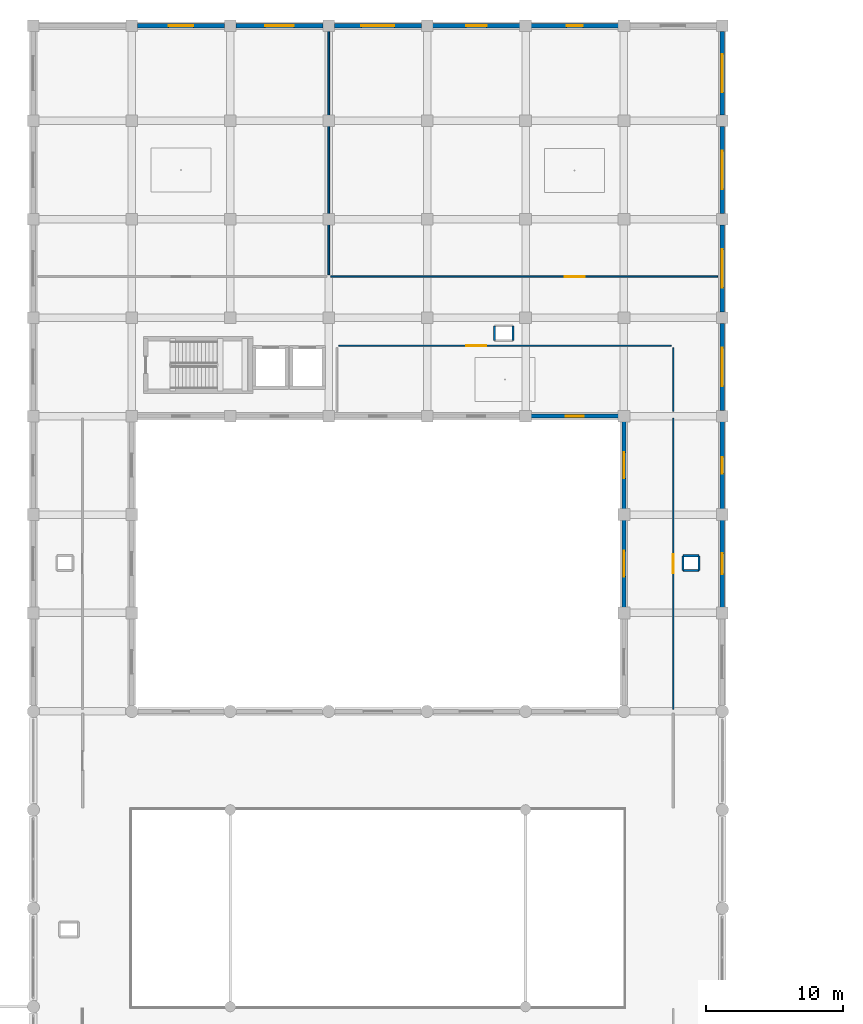
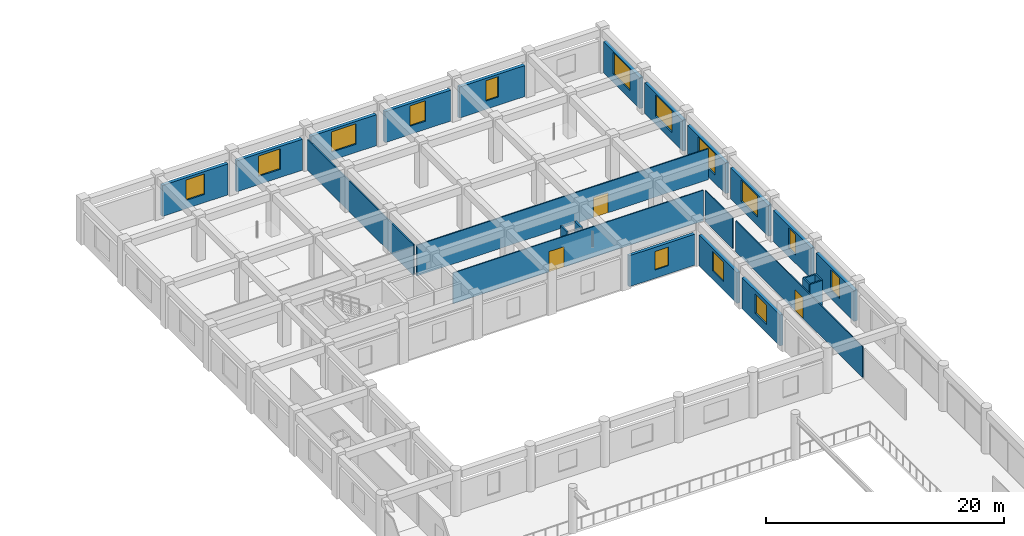
# One storey, part 37 of 54: 25 walls, 14 windows, 3 doors, 17 openings.
"""IFC4 building model written with IfcOpenShell, lengths in metres."""

import ifcopenshell
import ifcopenshell.guid

model = None  # the IFC model being written
_history = None  # IfcOwnerHistory: only IFC2X3 demands one
_inside = {}  # id of a spatial element -> (the spatial element, [elements in it])
_under = {}  # id of a project, library or spatial element -> (it, [spatial elements below it])
_declared = {}  # id of a project -> (the project, [libraries it declares])
_typed = {}  # id of a type object -> (the type object, [elements of that type])
_made_of = {}  # id of a material, layer set ... -> (it, [elements and type objects made of it])


def new_model(schema):
    """Start an empty IFC model of exactly this schema.

    Asked for "IFC4X3", IfcOpenShell would pick the latest addendum, in which some entities
    have other attributes; the version numbers below select the first issue.
    IFC2X3 requires an IfcOwnerHistory on every rooted entity: one is made here for all.
    """
    global model, _history
    if schema == "IFC4X3":
        model = ifcopenshell.file(schema_version=(4, 3, 0, 0))
    else:
        model = ifcopenshell.file(schema=schema)
    _inside.clear()
    _under.clear()
    _declared.clear()
    _typed.clear()
    _made_of.clear()
    _history = None
    if model.schema == "IFC2X3":
        org = make("IfcOrganization", Name="unknown")
        user = make(
            "IfcPersonAndOrganization",
            ThePerson=make("IfcPerson", FamilyName="unknown"),
            TheOrganization=org,
        )
        app = make(
            "IfcApplication",
            ApplicationDeveloper=org,
            Version="unknown",
            ApplicationFullName="unknown",
            ApplicationIdentifier="unknown",
        )
        _history = make(
            "IfcOwnerHistory",
            OwningUser=user,
            OwningApplication=app,
            ChangeAction="ADDED",
            CreationDate=0,
        )
    return model


def make(cls, **values):
    """One entity of the class cls with the attributes given. An attribute that is None is left unset."""
    return model.create_entity(
        cls, **{name: value for name, value in values.items() if value is not None}
    )


def rooted(cls, **values):
    """An entity with a GlobalId (a new one), such as an element, a storey or a relation."""
    return make(cls, GlobalId=ifcopenshell.guid.new(), OwnerHistory=_history, **values)


def si_unit(unit_type, name, prefix=None):
    """IfcSIUnit, for example si_unit("LENGTHUNIT", "METRE", prefix="MILLI")."""
    return make("IfcSIUnit", UnitType=unit_type, Prefix=prefix, Name=name)


def assignment(units):
    """IfcUnitAssignment: the units of a project."""
    return None if units is None else make("IfcUnitAssignment", Units=units)


def point(xyz):
    """IfcCartesianPoint."""
    return None if xyz is None else make("IfcCartesianPoint", Coordinates=xyz)


def direction(xyz):
    """IfcDirection."""
    return None if xyz is None else make("IfcDirection", DirectionRatios=xyz)


def frame(location, z_axis=None, x_axis=None):
    """IfcAxis2Placement3D, a coordinate frame: its origin and axes. An axis left out is left unset."""
    return make(
        "IfcAxis2Placement3D",
        Location=point(location),
        Axis=direction(z_axis),
        RefDirection=direction(x_axis),
    )


def frame_2d(location, x_axis=None):
    """IfcAxis2Placement2D, a coordinate frame in the plane: its origin and x axis."""
    return make(
        "IfcAxis2Placement2D", Location=point(location), RefDirection=direction(x_axis)
    )


def origin():
    """The frame at (0, 0, 0) with its axes left unset."""
    return frame((0.0, 0.0, 0.0))


def place(relative_to, where):
    """IfcLocalPlacement: puts the frame where relative to a parent placement (None: the world)."""
    return make(
        "IfcLocalPlacement", PlacementRelTo=relative_to, RelativePlacement=where
    )


def context(
    kind, dimensions, precision=None, world=None, true_north=None, identifier=None
):
    """IfcGeometricRepresentationContext, for example the 3D "Model" context."""
    return make(
        "IfcGeometricRepresentationContext",
        ContextIdentifier=identifier,
        ContextType=kind,
        CoordinateSpaceDimension=dimensions,
        Precision=precision,
        WorldCoordinateSystem=world,
        TrueNorth=true_north,
    )


def subcontext(parent, identifier, kind, view, scale=None):
    """IfcGeometricRepresentationSubContext, for example "Body" below "Model"."""
    return make(
        "IfcGeometricRepresentationSubContext",
        ContextIdentifier=identifier,
        ContextType=kind,
        ParentContext=parent,
        TargetScale=scale,
        TargetView=view,
    )


def project(units=None, contexts=None):
    """IfcProject with its units and contexts."""
    return rooted(
        "IfcProject",
        Name="project",
        RepresentationContexts=contexts,
        UnitsInContext=assignment(units),
    )


def spatial(cls, under=None, at=None, **own):
    """A site, building, storey or space (cls), placed at a placement, below another one or the project."""
    s = rooted(cls, ObjectPlacement=at, **own)
    if under is not None:
        _under.setdefault(under.id(), (under, []))[1].append(s)
    return s


def profile(cls, at=None, kind="AREA", **sizes):
    """A parametric profile (cls). Its sizes go by their IFC names, for example OverallWidth=200.0."""
    return make(cls, ProfileType=kind, Position=at, **sizes)


def rectangle(**sizes):
    """IfcRectangleProfileDef."""
    return profile("IfcRectangleProfileDef", **sizes)


def extrude(swept, where, along, depth):
    """IfcExtrudedAreaSolid: the profile swept, set in the frame where, extruded along a direction by depth."""
    return make(
        "IfcExtrudedAreaSolid",
        SweptArea=swept,
        Position=where,
        ExtrudedDirection=direction(along),
        Depth=depth,
    )


def shape(context_of_items, identifier, shape_type, items):
    """IfcShapeRepresentation: the items that make up one representation, for example the "Body"."""
    return make(
        "IfcShapeRepresentation",
        ContextOfItems=context_of_items,
        RepresentationIdentifier=identifier,
        RepresentationType=shape_type,
        Items=items,
    )


def material(Name=None, Category=None):
    """IfcMaterial."""
    return make("IfcMaterial", Name=Name, Category=Category)


def layer(
    of_material, thickness, ventilated=None, Name=None, Category=None, Priority=None
):
    """IfcMaterialLayer: one layer of a wall or slab, of a material (None: an air gap)."""
    return make(
        "IfcMaterialLayer",
        Material=of_material,
        LayerThickness=thickness,
        IsVentilated=ventilated,
        Name=Name,
        Category=Category,
        Priority=Priority,
    )


def layer_set(layers, Name=None):
    """IfcMaterialLayerSet."""
    return make("IfcMaterialLayerSet", MaterialLayers=layers, LayerSetName=Name)


def made_of(thing, what):
    """Note that an element or type object is made of a material, layer set ...; save() writes the relation."""
    if what is not None:
        _made_of.setdefault(what.id(), (what, []))[1].append(thing)
    return thing


def type_object(cls, material=None, **own):
    """A type object (cls), such as IfcWallType, which elements share."""
    return made_of(rooted(cls, **own), material)


def element(
    cls,
    number,
    at=None,
    inside=None,
    cuts=None,
    type_object=None,
    material=None,
    context=None,
    identifier="Body",
    shape_type=None,
    held_by="IfcProductDefinitionShape",
    body=None,
    shapes=None,
    **own,
):
    """One element of the class cls, such as IfcWall. Its Tag is "e" and its number.

    at: its placement. inside: the storey or other place that contains it. cuts: it is an
    opening in that element (IfcRelVoidsElement). A single representation is given by context,
    identifier, shape_type and body (its items); several are given by shapes. held_by: the class
    of the entity that holds the representations. save() writes the other relations.
    """
    e = rooted(cls, Tag="e%d" % number, ObjectPlacement=at, **own)
    if body is not None:
        shapes = [shape(context, identifier, shape_type, body)]
    if shapes is not None:
        e.Representation = make(held_by, Representations=shapes)
    if inside is not None:
        _inside.setdefault(inside.id(), (inside, []))[1].append(e)
    if cuts is not None:
        rooted(
            "IfcRelVoidsElement", RelatingBuildingElement=cuts, RelatedOpeningElement=e
        )
    if type_object is not None:
        _typed.setdefault(type_object.id(), (type_object, []))[1].append(e)
    return made_of(e, material)


def fill(opening, filler):
    """IfcRelFillsElement: the door or window that sits in an opening."""
    return rooted(
        "IfcRelFillsElement",
        RelatingOpeningElement=opening,
        RelatedBuildingElement=filler,
    )


def aggregate(whole, parts):
    """IfcRelAggregates: a whole, such as a stair, and the parts it consists of."""
    return rooted("IfcRelAggregates", RelatingObject=whole, RelatedObjects=parts)


def save(model, path):
    """Write the relations noted so far, then the file.

    IfcRelAggregates (storeys below a building ...), IfcRelContainedInSpatialStructure (elements
    in a storey), IfcRelDefinesByType, IfcRelAssociatesMaterial and IfcRelDeclares: one each for
    every whole, place, type object, material and project.
    """
    for whole, parts in _under.values():
        aggregate(whole, parts)
    for where, things in _inside.values():
        rooted(
            "IfcRelContainedInSpatialStructure",
            RelatedElements=things,
            RelatingStructure=where,
        )
    for kind, things in _typed.values():
        rooted("IfcRelDefinesByType", RelatedObjects=things, RelatingType=kind)
    for what, things in _made_of.values():
        rooted("IfcRelAssociatesMaterial", RelatedObjects=things, RelatingMaterial=what)
    for by, libraries in _declared.values():
        rooted("IfcRelDeclares", RelatingContext=by, RelatedDefinitions=libraries)
    model.write(path)


model = new_model("IFC4")

# Units and contexts
model_context = context("Model", 3, precision=1e-05, world=origin(), true_north=direction((0.0, 1.0)))
body_context = subcontext(model_context, "Body", "Model", "MODEL_VIEW")
ifc_project = project(units=[si_unit("LENGTHUNIT", "METRE"), si_unit("AREAUNIT", "SQUARE_METRE"), si_unit("VOLUMEUNIT", "CUBIC_METRE"), si_unit("PLANEANGLEUNIT", "RADIAN"), si_unit("MASSUNIT", "GRAM", prefix="KILO")], contexts=[model_context])

# Site, building, storey
site_placement = place(None, origin())
site = spatial("IfcSite", under=ifc_project, at=site_placement, CompositionType="ELEMENT")
building_placement = place(site_placement, origin())
building = spatial("IfcBuilding", under=site, at=building_placement, Name="Kazehaya Institute of Natural Sciences", CompositionType="ELEMENT")
storey_placement = place(building_placement, frame((0.0, 0.0, 10.43994140625)))
storey = spatial("IfcBuildingStorey", under=building, at=storey_placement, Name="L02", CompositionType="ELEMENT", Elevation=10.43994140625)

# Wall, opening, window
ifc_material_1 = material(Name="Precast concrete Fc36", Category="concrete")
ifc_layer_1 = layer(ifc_material_1, 0.2900390625, Name="Precast concrete Fc36", Category="concrete")
ifc_layer_set_1 = layer_set([ifc_layer_1], Name="Precast concrete Fc36")
wall_type_1 = type_object("IfcWallType", Name="WL-EXT-290", PredefinedType="SOLIDWALL", material=ifc_layer_set_1)
wall_1_placement = place(storey_placement, frame((104.590087890625, 86.0, 0.0), z_axis=(0.0, 0.0, 1.0), x_axis=(-1.0, 0.0, 0.0)))
wall_1 = element("IfcWall", 1, at=wall_1_placement, inside=storey, type_object=wall_type_1, Name="L02 exterior wall EW-L02-0227", PredefinedType="SOLIDWALL", context=body_context, shape_type="SweptSolid", body=[
    extrude(rectangle(XDim=6.380126953125, YDim=0.2900390625, at=frame_2d((3.18994140625, 0.0))), origin(), (0.0, 0.0, 1.0), 3.18017578125),
])
opening_1_placement = place(wall_1_placement, frame((2.5400390625, 0.0, 0.85009765625)))
opening_1 = element("IfcOpeningElement", 2, at=opening_1_placement, cuts=wall_1, Name="Opening W26", PredefinedType="OPENING", context=body_context, shape_type="SweptSolid", body=[
    extrude(rectangle(XDim=1.300048828125, YDim=1.89990234375, at=frame_2d((0.64990234375, 0.949951171875))), frame((0.0, 0.155029296875, 0.0), z_axis=(0.0, -1.0, 0.0), x_axis=(1.0, 0.0, 0.0)), (0.0, 0.0, 1.0), 0.31005859375),
])
ifc_material_2 = material(Name="Low-E double-glazed aluminium window", Category="aluminium")
window_type_1 = type_object("IfcWindowType", Name="WN-26", PartitioningType="SINGLE_PANEL", PredefinedType="WINDOW", material=ifc_material_2)
window_1_placement = place(opening_1_placement, origin())
window_1 = element("IfcWindow", 3, at=window_1_placement, inside=storey, type_object=window_type_1, Name="L02 facade window 0128", OverallHeight=1.89990234375, OverallWidth=1.300048828125, PartitioningType="SINGLE_PANEL", PredefinedType="WINDOW", context=body_context, shape_type="SweptSolid", body=[
    extrude(rectangle(XDim=1.300048828125, YDim=1.89990234375, at=frame_2d((0.64990234375, 0.949951171875))), frame((0.0, 0.030029296875, 0.0), z_axis=(0.0, -1.0, 0.0), x_axis=(1.0, 0.0, 0.0)), (0.0, 0.0, 1.0), 0.06005859375),
])
fill(opening_1, window_1)

ifc_layer_2 = layer(ifc_material_1, 0.31005859375, Name="Precast concrete Fc36", Category="concrete")
ifc_layer_set_2 = layer_set([ifc_layer_2], Name="Precast concrete Fc36")
wall_type_2 = type_object("IfcWallType", Name="WL-EXT-310", PredefinedType="SOLIDWALL", material=ifc_layer_set_2)
wall_2_placement = place(storey_placement, frame((105.0, 72.010009765625, 0.0), z_axis=(0.0, 0.0, 1.0), x_axis=(0.0, 1.0, 0.0)))
wall_2 = element("IfcWall", 4, at=wall_2_placement, inside=storey, type_object=wall_type_2, Name="L02 exterior wall EW-L02-0207", PredefinedType="SOLIDWALL", context=body_context, shape_type="SweptSolid", body=[
    extrude(rectangle(XDim=6.3798828125, YDim=0.31005859375, at=frame_2d((3.18994140625, 0.0))), origin(), (0.0, 0.0, 1.0), 3.18017578125),
])
opening_2_placement = place(wall_2_placement, frame((2.239990234375, 0.0, 0.85009765625)))
opening_2 = element("IfcOpeningElement", 5, at=opening_2_placement, cuts=wall_2, Name="Opening W23", PredefinedType="OPENING", context=body_context, shape_type="SweptSolid", body=[
    extrude(rectangle(XDim=1.89990234375, YDim=2.0, at=frame_2d((0.949951171875, 1.0))), frame((0.0, 0.1650390625, 0.0), z_axis=(0.0, -1.0, 0.0), x_axis=(1.0, 0.0, 0.0)), (0.0, 0.0, 1.0), 0.330078125),
])
window_type_2 = type_object("IfcWindowType", Name="WN-23", PartitioningType="DOUBLE_PANEL_VERTICAL", PredefinedType="WINDOW", material=ifc_material_2)
window_2_placement = place(opening_2_placement, origin())
window_2 = element("IfcWindow", 6, at=window_2_placement, inside=storey, type_object=window_type_2, Name="L02 facade window 0109", OverallHeight=2.0, OverallWidth=1.89990234375, PartitioningType="DOUBLE_PANEL_VERTICAL", PredefinedType="WINDOW", context=body_context, shape_type="SweptSolid", body=[
    extrude(rectangle(XDim=1.89990234375, YDim=2.0, at=frame_2d((0.949951171875, 1.0))), frame((0.0, 0.030029296875, 0.0), z_axis=(0.0, -1.0, 0.0), x_axis=(1.0, 0.0, 0.0)), (0.0, 0.0, 1.0), 0.06005859375),
])
fill(opening_2, window_2)

wall_3_placement = place(storey_placement, frame((105.0, 79.2099609375, 0.0), z_axis=(0.0, 0.0, 1.0), x_axis=(0.0, 1.0, 0.0)))
wall_3 = element("IfcWall", 7, at=wall_3_placement, inside=storey, type_object=wall_type_2, Name="L02 exterior wall EW-L02-0211", PredefinedType="SOLIDWALL", context=body_context, shape_type="SweptSolid", body=[
    extrude(rectangle(XDim=6.380126953125, YDim=0.31005859375, at=frame_2d((3.18994140625, 0.0))), origin(), (0.0, 0.0, 1.0), 3.18017578125),
])
opening_3_placement = place(wall_3_placement, frame((2.239990234375, 0.0, 0.85009765625)))
opening_3 = element("IfcOpeningElement", 8, at=opening_3_placement, cuts=wall_3, Name="Opening W23", PredefinedType="OPENING", context=body_context, shape_type="SweptSolid", body=[
    extrude(rectangle(XDim=1.89990234375, YDim=2.0, at=frame_2d((0.949951171875, 1.0))), frame((0.0, 0.1650390625, 0.0), z_axis=(0.0, -1.0, 0.0), x_axis=(1.0, 0.0, 0.0)), (0.0, 0.0, 1.0), 0.330078125),
])
window_3_placement = place(opening_3_placement, origin())
window_3 = element("IfcWindow", 9, at=window_3_placement, inside=storey, type_object=window_type_2, Name="L02 facade window 0113", OverallHeight=2.0, OverallWidth=1.89990234375, PartitioningType="DOUBLE_PANEL_VERTICAL", PredefinedType="WINDOW", context=body_context, shape_type="SweptSolid", body=[
    extrude(rectangle(XDim=1.89990234375, YDim=2.0, at=frame_2d((0.949951171875, 1.0))), frame((0.0, 0.030029296875, 0.0), z_axis=(0.0, -1.0, 0.0), x_axis=(1.0, 0.0, 0.0)), (0.0, 0.0, 1.0), 0.06005859375),
])
fill(opening_3, window_3)

ifc_layer_3 = layer(ifc_material_1, 0.320068359375, Name="Precast concrete Fc36", Category="concrete")
ifc_layer_set_3 = layer_set([ifc_layer_3], Name="Precast concrete Fc36")
wall_type_3 = type_object("IfcWallType", Name="WL-EXT-320", PredefinedType="SOLIDWALL", material=ifc_layer_set_3)
wall_4_placement = place(storey_placement, frame((112.199951171875, 78.389892578125, 0.0), z_axis=(0.0, 0.0, 1.0), x_axis=(0.0, -1.0, 0.0)))
wall_4 = element("IfcWall", 10, at=wall_4_placement, inside=storey, type_object=wall_type_3, Name="L02 exterior wall EW-L02-0205", PredefinedType="SOLIDWALL", context=body_context, shape_type="SweptSolid", body=[
    extrude(rectangle(XDim=6.3798828125, YDim=0.320068359375, at=frame_2d((3.18994140625, 0.0))), origin(), (0.0, 0.0, 1.0), 3.18017578125),
])
opening_4_placement = place(wall_4_placement, frame((2.43994140625, 0.0, 0.85009765625)))
opening_4 = element("IfcOpeningElement", 11, at=opening_4_placement, cuts=wall_4, Name="Opening W09", PredefinedType="OPENING", context=body_context, shape_type="SweptSolid", body=[
    extrude(rectangle(XDim=1.5, YDim=2.10009765625, at=frame_2d((0.75, 1.050048828125))), frame((0.0, 0.169921875, 0.0), z_axis=(0.0, -1.0, 0.0), x_axis=(1.0, 0.0, 0.0)), (0.0, 0.0, 1.0), 0.340087890625),
])
window_type_3 = type_object("IfcWindowType", Name="WN-09", PartitioningType="SINGLE_PANEL", PredefinedType="WINDOW", material=ifc_material_2)
window_4_placement = place(opening_4_placement, origin())
window_4 = element("IfcWindow", 12, at=window_4_placement, inside=storey, type_object=window_type_3, Name="L02 facade window 0107", OverallHeight=2.10009765625, OverallWidth=1.5, PartitioningType="SINGLE_PANEL", PredefinedType="WINDOW", context=body_context, shape_type="SweptSolid", body=[
    extrude(rectangle(XDim=1.5, YDim=2.10009765625, at=frame_2d((0.75, 1.050048828125))), frame((0.0, 0.030029296875, 0.0), z_axis=(0.0, -1.0, 0.0), x_axis=(1.0, 0.0, 0.0)), (0.0, 0.0, 1.0), 0.06005859375),
])
fill(opening_4, window_4)

wall_5_placement = place(storey_placement, frame((112.199951171875, 85.590087890625, 0.0), z_axis=(0.0, 0.0, 1.0), x_axis=(0.0, -1.0, 0.0)))
wall_5 = element("IfcWall", 13, at=wall_5_placement, inside=storey, type_object=wall_type_3, Name="L02 exterior wall EW-L02-0209", PredefinedType="SOLIDWALL", context=body_context, shape_type="SweptSolid", body=[
    extrude(rectangle(XDim=6.380126953125, YDim=0.320068359375, at=frame_2d((3.18994140625, 0.0))), origin(), (0.0, 0.0, 1.0), 3.18017578125),
])
opening_5_placement = place(wall_5_placement, frame((2.590087890625, 0.0, 0.85009765625)))
opening_5 = element("IfcOpeningElement", 14, at=opening_5_placement, cuts=wall_5, Name="Opening W10", PredefinedType="OPENING", context=body_context, shape_type="SweptSolid", body=[
    extrude(rectangle(XDim=1.199951171875, YDim=2.10009765625, at=frame_2d((0.60009765625, 1.050048828125))), frame((0.0, 0.169921875, 0.0), z_axis=(0.0, -1.0, 0.0), x_axis=(1.0, 0.0, 0.0)), (0.0, 0.0, 1.0), 0.340087890625),
])
window_type_4 = type_object("IfcWindowType", Name="WN-10", PartitioningType="SINGLE_PANEL", PredefinedType="WINDOW", material=ifc_material_2)
window_5_placement = place(opening_5_placement, origin())
window_5 = element("IfcWindow", 15, at=window_5_placement, inside=storey, type_object=window_type_4, Name="L02 facade window 0111", OverallHeight=2.10009765625, OverallWidth=1.199951171875, PartitioningType="SINGLE_PANEL", PredefinedType="WINDOW", context=body_context, shape_type="SweptSolid", body=[
    extrude(rectangle(XDim=1.199951171875, YDim=2.10009765625, at=frame_2d((0.60009765625, 1.050048828125))), frame((0.0, 0.030029296875, 0.0), z_axis=(0.0, -1.0, 0.0), x_axis=(1.0, 0.0, 0.0)), (0.0, 0.0, 1.0), 0.06005859375),
])
fill(opening_5, window_5)

wall_6_placement = place(storey_placement, frame((112.199951171875, 92.7900390625, 0.0), z_axis=(0.0, 0.0, 1.0), x_axis=(0.0, -1.0, 0.0)))
wall_6 = element("IfcWall", 16, at=wall_6_placement, inside=storey, type_object=wall_type_3, Name="L02 exterior wall EW-L02-0213", PredefinedType="SOLIDWALL", context=body_context, shape_type="SweptSolid", body=[
    extrude(rectangle(XDim=6.380126953125, YDim=0.320068359375, at=frame_2d((3.18994140625, 0.0))), origin(), (0.0, 0.0, 1.0), 3.18017578125),
])
opening_6_placement = place(wall_6_placement, frame((1.7900390625, 0.0, 0.85009765625)))
opening_6 = element("IfcOpeningElement", 17, at=opening_6_placement, cuts=wall_6, Name="Opening W25", PredefinedType="OPENING", context=body_context, shape_type="SweptSolid", body=[
    extrude(rectangle(XDim=2.800048828125, YDim=2.199951171875, at=frame_2d((1.39990234375, 1.10009765625))), frame((0.0, 0.169921875, 0.0), z_axis=(0.0, -1.0, 0.0), x_axis=(1.0, 0.0, 0.0)), (0.0, 0.0, 1.0), 0.340087890625),
])
window_type_5 = type_object("IfcWindowType", Name="WN-25", PartitioningType="DOUBLE_PANEL_VERTICAL", PredefinedType="WINDOW", material=ifc_material_2)
window_6_placement = place(opening_6_placement, origin())
window_6 = element("IfcWindow", 18, at=window_6_placement, inside=storey, type_object=window_type_5, Name="L02 facade window 0115", OverallHeight=2.199951171875, OverallWidth=2.800048828125, PartitioningType="DOUBLE_PANEL_VERTICAL", PredefinedType="WINDOW", context=body_context, shape_type="SweptSolid", body=[
    extrude(rectangle(XDim=2.800048828125, YDim=2.199951171875, at=frame_2d((1.39990234375, 1.10009765625))), frame((0.0, 0.030029296875, 0.0), z_axis=(0.0, -1.0, 0.0), x_axis=(1.0, 0.0, 0.0)), (0.0, 0.0, 1.0), 0.06005859375),
])
fill(opening_6, window_6)

wall_7_placement = place(storey_placement, frame((112.199951171875, 99.989990234375, 0.0), z_axis=(0.0, 0.0, 1.0), x_axis=(0.0, -1.0, 0.0)))
wall_7 = element("IfcWall", 19, at=wall_7_placement, inside=storey, type_object=wall_type_3, Name="L02 exterior wall EW-L02-0215", PredefinedType="SOLIDWALL", context=body_context, shape_type="SweptSolid", body=[
    extrude(rectangle(XDim=6.3798828125, YDim=0.320068359375, at=frame_2d((3.18994140625, 0.0))), origin(), (0.0, 0.0, 1.0), 3.18017578125),
])
opening_7_placement = place(wall_7_placement, frame((1.7900390625, 0.0, 0.85009765625)))
opening_7 = element("IfcOpeningElement", 20, at=opening_7_placement, cuts=wall_7, Name="Opening W25", PredefinedType="OPENING", context=body_context, shape_type="SweptSolid", body=[
    extrude(rectangle(XDim=2.800048828125, YDim=2.199951171875, at=frame_2d((1.39990234375, 1.10009765625))), frame((0.0, 0.169921875, 0.0), z_axis=(0.0, -1.0, 0.0), x_axis=(1.0, 0.0, 0.0)), (0.0, 0.0, 1.0), 0.340087890625),
])
window_7_placement = place(opening_7_placement, origin())
window_7 = element("IfcWindow", 21, at=window_7_placement, inside=storey, type_object=window_type_5, Name="L02 facade window 0117", OverallHeight=2.199951171875, OverallWidth=2.800048828125, PartitioningType="DOUBLE_PANEL_VERTICAL", PredefinedType="WINDOW", context=body_context, shape_type="SweptSolid", body=[
    extrude(rectangle(XDim=2.800048828125, YDim=2.199951171875, at=frame_2d((1.39990234375, 1.10009765625))), frame((0.0, 0.030029296875, 0.0), z_axis=(0.0, -1.0, 0.0), x_axis=(1.0, 0.0, 0.0)), (0.0, 0.0, 1.0), 0.06005859375),
])
fill(opening_7, window_7)

wall_8_placement = place(storey_placement, frame((112.199951171875, 107.18994140625, 0.0), z_axis=(0.0, 0.0, 1.0), x_axis=(0.0, -1.0, 0.0)))
wall_8 = element("IfcWall", 22, at=wall_8_placement, inside=storey, type_object=wall_type_3, Name="L02 exterior wall EW-L02-0217", PredefinedType="SOLIDWALL", context=body_context, shape_type="SweptSolid", body=[
    extrude(rectangle(XDim=6.3798828125, YDim=0.320068359375, at=frame_2d((3.18994140625, 0.0))), origin(), (0.0, 0.0, 1.0), 3.18017578125),
])
opening_8_placement = place(wall_8_placement, frame((1.7900390625, 0.0, 0.85009765625)))
opening_8 = element("IfcOpeningElement", 23, at=opening_8_placement, cuts=wall_8, Name="Opening W25", PredefinedType="OPENING", context=body_context, shape_type="SweptSolid", body=[
    extrude(rectangle(XDim=2.800048828125, YDim=2.199951171875, at=frame_2d((1.39990234375, 1.10009765625))), frame((0.0, 0.169921875, 0.0), z_axis=(0.0, -1.0, 0.0), x_axis=(1.0, 0.0, 0.0)), (0.0, 0.0, 1.0), 0.340087890625),
])
window_8_placement = place(opening_8_placement, origin())
window_8 = element("IfcWindow", 24, at=window_8_placement, inside=storey, type_object=window_type_5, Name="L02 facade window 0119", OverallHeight=2.199951171875, OverallWidth=2.800048828125, PartitioningType="DOUBLE_PANEL_VERTICAL", PredefinedType="WINDOW", context=body_context, shape_type="SweptSolid", body=[
    extrude(rectangle(XDim=2.800048828125, YDim=2.199951171875, at=frame_2d((1.39990234375, 1.10009765625))), frame((0.0, 0.030029296875, 0.0), z_axis=(0.0, -1.0, 0.0), x_axis=(1.0, 0.0, 0.0)), (0.0, 0.0, 1.0), 0.06005859375),
])
fill(opening_8, window_8)

wall_9_placement = place(storey_placement, frame((112.199951171875, 114.139892578125, 0.0), z_axis=(0.0, 0.0, 1.0), x_axis=(0.0, -1.0, 0.0)))
wall_9 = element("IfcWall", 25, at=wall_9_placement, inside=storey, type_object=wall_type_3, Name="L02 exterior wall EW-L02-0219", PredefinedType="SOLIDWALL", context=body_context, shape_type="SweptSolid", body=[
    extrude(rectangle(XDim=6.1298828125, YDim=0.320068359375, at=frame_2d((3.06494140625, 0.0))), origin(), (0.0, 0.0, 1.0), 3.18017578125),
])
opening_9_placement = place(wall_9_placement, frame((1.6650390625, 0.0, 0.85009765625)))
opening_9 = element("IfcOpeningElement", 26, at=opening_9_placement, cuts=wall_9, Name="Opening W25", PredefinedType="OPENING", context=body_context, shape_type="SweptSolid", body=[
    extrude(rectangle(XDim=2.800048828125, YDim=2.199951171875, at=frame_2d((1.39990234375, 1.10009765625))), frame((0.0, 0.169921875, 0.0), z_axis=(0.0, -1.0, 0.0), x_axis=(1.0, 0.0, 0.0)), (0.0, 0.0, 1.0), 0.340087890625),
])
window_9_placement = place(opening_9_placement, origin())
window_9 = element("IfcWindow", 27, at=window_9_placement, inside=storey, type_object=window_type_5, Name="L02 facade window 0121", OverallHeight=2.199951171875, OverallWidth=2.800048828125, PartitioningType="DOUBLE_PANEL_VERTICAL", PredefinedType="WINDOW", context=body_context, shape_type="SweptSolid", body=[
    extrude(rectangle(XDim=2.800048828125, YDim=2.199951171875, at=frame_2d((1.39990234375, 1.10009765625))), frame((0.0, 0.030029296875, 0.0), z_axis=(0.0, -1.0, 0.0), x_axis=(1.0, 0.0, 0.0)), (0.0, 0.0, 1.0), 0.06005859375),
])
fill(opening_9, window_9)

wall_10_placement = place(storey_placement, frame((69.409912109375, 114.550048828125, 0.0), z_axis=(0.0, 0.0, 1.0), x_axis=(1.0, 0.0, 0.0)))
wall_10 = element("IfcWall", 28, at=wall_10_placement, inside=storey, type_object=wall_type_3, Name="L02 exterior wall EW-L02-0221", PredefinedType="SOLIDWALL", context=body_context, shape_type="SweptSolid", body=[
    extrude(rectangle(XDim=6.380126953125, YDim=0.320068359375, at=frame_2d((3.18994140625, 0.0))), origin(), (0.0, 0.0, 1.0), 3.18017578125),
])
opening_10_placement = place(wall_10_placement, frame((2.2900390625, 0.0, 0.85009765625)))
opening_10 = element("IfcOpeningElement", 29, at=opening_10_placement, cuts=wall_10, Name="Opening W06", PredefinedType="OPENING", context=body_context, shape_type="SweptSolid", body=[
    extrude(rectangle(XDim=1.800048828125, YDim=2.10009765625, at=frame_2d((0.89990234375, 1.050048828125))), frame((0.0, 0.169921875, 0.0), z_axis=(0.0, -1.0, 0.0), x_axis=(1.0, 0.0, 0.0)), (0.0, 0.0, 1.0), 0.340087890625),
])
window_type_6 = type_object("IfcWindowType", Name="WN-06", PartitioningType="DOUBLE_PANEL_VERTICAL", PredefinedType="WINDOW", material=ifc_material_2)
window_10_placement = place(opening_10_placement, origin())
window_10 = element("IfcWindow", 30, at=window_10_placement, inside=storey, type_object=window_type_6, Name="L02 facade window 0122", OverallHeight=2.10009765625, OverallWidth=1.800048828125, PartitioningType="DOUBLE_PANEL_VERTICAL", PredefinedType="WINDOW", context=body_context, shape_type="SweptSolid", body=[
    extrude(rectangle(XDim=1.800048828125, YDim=2.10009765625, at=frame_2d((0.89990234375, 1.050048828125))), frame((0.0, 0.030029296875, 0.0), z_axis=(0.0, -1.0, 0.0), x_axis=(1.0, 0.0, 0.0)), (0.0, 0.0, 1.0), 0.06005859375),
])
fill(opening_10, window_10)

wall_11_placement = place(storey_placement, frame((76.610107421875, 114.550048828125, 0.0), z_axis=(0.0, 0.0, 1.0), x_axis=(1.0, 0.0, 0.0)))
wall_11 = element("IfcWall", 31, at=wall_11_placement, inside=storey, type_object=wall_type_3, Name="L02 exterior wall EW-L02-0222", PredefinedType="SOLIDWALL", context=body_context, shape_type="SweptSolid", body=[
    extrude(rectangle(XDim=6.3798828125, YDim=0.320068359375, at=frame_2d((3.18994140625, 0.0))), origin(), (0.0, 0.0, 1.0), 3.18017578125),
])
opening_11_placement = place(wall_11_placement, frame((2.139892578125, 0.0, 0.85009765625)))
opening_11 = element("IfcOpeningElement", 32, at=opening_11_placement, cuts=wall_11, Name="Opening W07", PredefinedType="OPENING", context=body_context, shape_type="SweptSolid", body=[
    extrude(rectangle(XDim=2.10009765625, YDim=2.10009765625, at=frame_2d((1.050048828125, 1.050048828125))), frame((0.0, 0.169921875, 0.0), z_axis=(0.0, -1.0, 0.0), x_axis=(1.0, 0.0, 0.0)), (0.0, 0.0, 1.0), 0.340087890625),
])
window_type_7 = type_object("IfcWindowType", Name="WN-07", PartitioningType="DOUBLE_PANEL_VERTICAL", PredefinedType="WINDOW", material=ifc_material_2)
window_11_placement = place(opening_11_placement, origin())
window_11 = element("IfcWindow", 33, at=window_11_placement, inside=storey, type_object=window_type_7, Name="L02 facade window 0123", OverallHeight=2.10009765625, OverallWidth=2.10009765625, PartitioningType="DOUBLE_PANEL_VERTICAL", PredefinedType="WINDOW", context=body_context, shape_type="SweptSolid", body=[
    extrude(rectangle(XDim=2.10009765625, YDim=2.10009765625, at=frame_2d((1.050048828125, 1.050048828125))), frame((0.0, 0.030029296875, 0.0), z_axis=(0.0, -1.0, 0.0), x_axis=(1.0, 0.0, 0.0)), (0.0, 0.0, 1.0), 0.06005859375),
])
fill(opening_11, window_11)

wall_12_placement = place(storey_placement, frame((83.81005859375, 114.550048828125, 0.0), z_axis=(0.0, 0.0, 1.0), x_axis=(1.0, 0.0, 0.0)))
wall_12 = element("IfcWall", 34, at=wall_12_placement, inside=storey, type_object=wall_type_3, Name="L02 exterior wall EW-L02-0223", PredefinedType="SOLIDWALL", context=body_context, shape_type="SweptSolid", body=[
    extrude(rectangle(XDim=6.3798828125, YDim=0.320068359375, at=frame_2d((3.18994140625, 0.0))), origin(), (0.0, 0.0, 1.0), 3.18017578125),
])
opening_12_placement = place(wall_12_placement, frame((1.989990234375, 0.0, 0.85009765625)))
opening_12 = element("IfcOpeningElement", 35, at=opening_12_placement, cuts=wall_12, Name="Opening W08", PredefinedType="OPENING", context=body_context, shape_type="SweptSolid", body=[
    extrude(rectangle(XDim=2.39990234375, YDim=2.10009765625, at=frame_2d((1.199951171875, 1.050048828125))), frame((0.0, 0.169921875, 0.0), z_axis=(0.0, -1.0, 0.0), x_axis=(1.0, 0.0, 0.0)), (0.0, 0.0, 1.0), 0.340087890625),
])
window_type_8 = type_object("IfcWindowType", Name="WN-08", PartitioningType="DOUBLE_PANEL_VERTICAL", PredefinedType="WINDOW", material=ifc_material_2)
window_12_placement = place(opening_12_placement, origin())
window_12 = element("IfcWindow", 36, at=window_12_placement, inside=storey, type_object=window_type_8, Name="L02 facade window 0124", OverallHeight=2.10009765625, OverallWidth=2.39990234375, PartitioningType="DOUBLE_PANEL_VERTICAL", PredefinedType="WINDOW", context=body_context, shape_type="SweptSolid", body=[
    extrude(rectangle(XDim=2.39990234375, YDim=2.10009765625, at=frame_2d((1.199951171875, 1.050048828125))), frame((0.0, 0.030029296875, 0.0), z_axis=(0.0, -1.0, 0.0), x_axis=(1.0, 0.0, 0.0)), (0.0, 0.0, 1.0), 0.06005859375),
])
fill(opening_12, window_12)

wall_13_placement = place(storey_placement, frame((91.010009765625, 114.550048828125, 0.0), z_axis=(0.0, 0.0, 1.0), x_axis=(1.0, 0.0, 0.0)))
wall_13 = element("IfcWall", 37, at=wall_13_placement, inside=storey, type_object=wall_type_3, Name="L02 exterior wall EW-L02-0224", PredefinedType="SOLIDWALL", context=body_context, shape_type="SweptSolid", body=[
    extrude(rectangle(XDim=6.3798828125, YDim=0.320068359375, at=frame_2d((3.18994140625, 0.0))), origin(), (0.0, 0.0, 1.0), 3.18017578125),
])
opening_13_placement = place(wall_13_placement, frame((2.43994140625, 0.0, 0.85009765625)))
opening_13 = element("IfcOpeningElement", 38, at=opening_13_placement, cuts=wall_13, Name="Opening W09", PredefinedType="OPENING", context=body_context, shape_type="SweptSolid", body=[
    extrude(rectangle(XDim=1.5, YDim=2.10009765625, at=frame_2d((0.75, 1.050048828125))), frame((0.0, 0.169921875, 0.0), z_axis=(0.0, -1.0, 0.0), x_axis=(1.0, 0.0, 0.0)), (0.0, 0.0, 1.0), 0.340087890625),
])
window_13_placement = place(opening_13_placement, origin())
window_13 = element("IfcWindow", 39, at=window_13_placement, inside=storey, type_object=window_type_3, Name="L02 facade window 0125", OverallHeight=2.10009765625, OverallWidth=1.5, PartitioningType="SINGLE_PANEL", PredefinedType="WINDOW", context=body_context, shape_type="SweptSolid", body=[
    extrude(rectangle(XDim=1.5, YDim=2.10009765625, at=frame_2d((0.75, 1.050048828125))), frame((0.0, 0.030029296875, 0.0), z_axis=(0.0, -1.0, 0.0), x_axis=(1.0, 0.0, 0.0)), (0.0, 0.0, 1.0), 0.06005859375),
])
fill(opening_13, window_13)

wall_14_placement = place(storey_placement, frame((98.2099609375, 114.550048828125, 0.0), z_axis=(0.0, 0.0, 1.0), x_axis=(1.0, 0.0, 0.0)))
wall_14 = element("IfcWall", 40, at=wall_14_placement, inside=storey, type_object=wall_type_3, Name="L02 exterior wall EW-L02-0225", PredefinedType="SOLIDWALL", context=body_context, shape_type="SweptSolid", body=[
    extrude(rectangle(XDim=6.380126953125, YDim=0.320068359375, at=frame_2d((3.18994140625, 0.0))), origin(), (0.0, 0.0, 1.0), 3.18017578125),
])
opening_14_placement = place(wall_14_placement, frame((2.590087890625, 0.0, 0.85009765625)))
opening_14 = element("IfcOpeningElement", 41, at=opening_14_placement, cuts=wall_14, Name="Opening W10", PredefinedType="OPENING", context=body_context, shape_type="SweptSolid", body=[
    extrude(rectangle(XDim=1.199951171875, YDim=2.10009765625, at=frame_2d((0.60009765625, 1.050048828125))), frame((0.0, 0.169921875, 0.0), z_axis=(0.0, -1.0, 0.0), x_axis=(1.0, 0.0, 0.0)), (0.0, 0.0, 1.0), 0.340087890625),
])
window_14_placement = place(opening_14_placement, origin())
window_14 = element("IfcWindow", 42, at=window_14_placement, inside=storey, type_object=window_type_4, Name="L02 facade window 0126", OverallHeight=2.10009765625, OverallWidth=1.199951171875, PartitioningType="SINGLE_PANEL", PredefinedType="WINDOW", context=body_context, shape_type="SweptSolid", body=[
    extrude(rectangle(XDim=1.199951171875, YDim=2.10009765625, at=frame_2d((0.60009765625, 1.050048828125))), frame((0.0, 0.030029296875, 0.0), z_axis=(0.0, -1.0, 0.0), x_axis=(1.0, 0.0, 0.0)), (0.0, 0.0, 1.0), 0.06005859375),
])
fill(opening_14, window_14)

# Wall, opening, door
ifc_material_3 = material(Name="Lightweight chase partition")
ifc_layer_4 = layer(ifc_material_3, 0.10009765625, Name="Lightweight chase partition")
ifc_layer_set_4 = layer_set([ifc_layer_4], Name="Lightweight chase partition")
wall_type_4 = type_object("IfcWallType", Name="WL-PART-100", PredefinedType="PARTITIONING", material=ifc_layer_set_4)
wall_15_placement = place(storey_placement, frame((108.60009765625, 85.85009765625, 0.0), z_axis=(0.0, 0.0, 1.0), x_axis=(0.0, -1.0, 0.0)))
wall_15 = element("IfcWall", 43, at=wall_15_placement, inside=storey, type_object=wall_type_4, Name="L02 Researcher Write-up Office partition IW-L02-0166", PredefinedType="PARTITIONING", context=body_context, shape_type="SweptSolid", body=[
    extrude(rectangle(XDim=21.300048828125, YDim=0.10009765625, at=frame_2d((10.64990234375, 0.0))), origin(), (0.0, 0.0, 1.0), 3.16015625),
])
opening_15_placement = place(wall_15_placement, frame((9.9599609375, 0.0, 0.0)))
opening_15 = element("IfcOpeningElement", 44, at=opening_15_placement, cuts=wall_15, Name="Opening D-L02-0115", PredefinedType="OPENING", context=body_context, shape_type="SweptSolid", body=[
    extrude(rectangle(XDim=1.3798828125, YDim=2.159912109375, at=frame_2d((0.68994140625, 1.080078125))), frame((0.0, 0.06005859375, 0.0), z_axis=(0.0, -1.0, 0.0), x_axis=(1.0, 0.0, 0.0)), (0.0, 0.0, 1.0), 0.1201171875),
])
ifc_material_4 = material(Name="Flush timber and aluminium laboratory door", Category="wood")
door_type_1 = type_object("IfcDoorType", Name="DT-INT-51", OperationType="DOUBLE_DOOR_SINGLE_SWING", PredefinedType="DOOR", material=ifc_material_4)
door_1_placement = place(opening_15_placement, origin())
door_1 = element("IfcDoor", 45, at=door_1_placement, inside=storey, type_object=door_type_1, Name="L02 Researcher Write-up Office door D-L02-0115", OperationType="DOUBLE_DOOR_SINGLE_SWING", OverallHeight=2.159912109375, OverallWidth=1.3798828125, PredefinedType="DOOR", context=body_context, shape_type="SweptSolid", body=[
    extrude(rectangle(XDim=1.3798828125, YDim=2.159912109375, at=frame_2d((0.68994140625, 1.080078125))), frame((0.0, 0.02490234375, 0.0), z_axis=(0.0, -1.0, 0.0), x_axis=(1.0, 0.0, 0.0)), (0.0, 0.0, 1.0), 0.050048828125),
])
fill(opening_15, door_1)

wall_16_placement = place(storey_placement, frame((84.14990234375, 91.14990234375, 0.0), z_axis=(0.0, 0.0, 1.0), x_axis=(1.0, 0.0, 0.0)))
wall_16 = element("IfcWall", 46, at=wall_16_placement, inside=storey, type_object=wall_type_4, Name="L02 Researcher Write-up Office partition IW-L02-0170", PredefinedType="PARTITIONING", context=body_context, shape_type="SweptSolid", body=[
    extrude(rectangle(XDim=24.300048828125, YDim=0.10009765625, at=frame_2d((12.14990234375, 0.0))), origin(), (0.0, 0.0, 1.0), 3.16015625),
])
opening_16_placement = place(wall_16_placement, frame((9.330078125, 0.0, 0.0)))
opening_16 = element("IfcOpeningElement", 47, at=opening_16_placement, cuts=wall_16, Name="Opening D-L02-0118", PredefinedType="OPENING", context=body_context, shape_type="SweptSolid", body=[
    extrude(rectangle(XDim=1.43994140625, YDim=2.10009765625, at=frame_2d((0.719970703125, 1.050048828125))), frame((0.0, 0.06005859375, 0.0), z_axis=(0.0, -1.0, 0.0), x_axis=(1.0, 0.0, 0.0)), (0.0, 0.0, 1.0), 0.1201171875),
])
door_type_2 = type_object("IfcDoorType", Name="DT-INT-54", OperationType="DOUBLE_DOOR_SINGLE_SWING", PredefinedType="DOOR", material=ifc_material_4)
door_2_placement = place(opening_16_placement, origin())
door_2 = element("IfcDoor", 48, at=door_2_placement, inside=storey, type_object=door_type_2, Name="L02 Researcher Write-up Office door D-L02-0118", OperationType="DOUBLE_DOOR_SINGLE_SWING", OverallHeight=2.10009765625, OverallWidth=1.43994140625, PredefinedType="DOOR", context=body_context, shape_type="SweptSolid", body=[
    extrude(rectangle(XDim=1.43994140625, YDim=2.10009765625, at=frame_2d((0.719970703125, 1.050048828125))), frame((0.0, 0.02490234375, 0.0), z_axis=(0.0, -1.0, 0.0), x_axis=(1.0, 0.0, 0.0)), (0.0, 0.0, 1.0), 0.050048828125),
])
fill(opening_16, door_2)

# Wall
wall_17_placement = place(storey_placement, frame((108.60009765625, 91.0, 0.0), z_axis=(0.0, 0.0, 1.0), x_axis=(0.0, -1.0, 0.0)))
element("IfcWall", 49, at=wall_17_placement, inside=storey, type_object=wall_type_4, Name="L02 Researcher Write-up Office partition IW-L02-0172", PredefinedType="PARTITIONING", context=body_context, shape_type="SweptSolid", body=[
    extrude(rectangle(XDim=4.64990234375, YDim=0.10009765625, at=frame_2d((2.324951171875, 0.0))), origin(), (0.0, 0.0, 1.0), 3.16015625),
])

# Wall, opening, door
ifc_material_5 = material(Name="Glazed office demountable partition")
ifc_layer_5 = layer(ifc_material_5, 0.110107421875, Name="Glazed office demountable partition")
ifc_layer_set_5 = layer_set([ifc_layer_5], Name="Glazed office demountable partition")
wall_type_5 = type_object("IfcWallType", Name="WL-PART-110", PredefinedType="PARTITIONING", material=ifc_layer_set_5)
wall_18_placement = place(storey_placement, frame((111.85009765625, 96.199951171875, 0.0), z_axis=(0.0, 0.0, 1.0), x_axis=(-1.0, 0.0, 0.0)))
wall_18 = element("IfcWall", 50, at=wall_18_placement, inside=storey, type_object=wall_type_5, Name="L02 Climate Simulation Laboratory partition IW-L02-0169", PredefinedType="PARTITIONING", context=body_context, shape_type="SweptSolid", body=[
    extrude(rectangle(XDim=28.300048828125, YDim=0.110107421875, at=frame_2d((14.14990234375, 0.0))), origin(), (0.0, 0.0, 1.0), 3.16015625),
])
opening_17_placement = place(wall_18_placement, frame((9.72998046875, 0.0, 0.0)))
opening_17 = element("IfcOpeningElement", 51, at=opening_17_placement, cuts=wall_18, Name="Opening D-L02-0117", PredefinedType="OPENING", context=body_context, shape_type="SweptSolid", body=[
    extrude(rectangle(XDim=1.43994140625, YDim=2.050048828125, at=frame_2d((0.719970703125, 1.02490234375))), frame((0.0, 0.06494140625, 0.0), z_axis=(0.0, -1.0, 0.0), x_axis=(1.0, 0.0, 0.0)), (0.0, 0.0, 1.0), 0.130126953125),
])
door_type_3 = type_object("IfcDoorType", Name="DT-INT-53", OperationType="DOUBLE_DOOR_SINGLE_SWING", PredefinedType="DOOR", material=ifc_material_4)
door_3_placement = place(opening_17_placement, origin())
door_3 = element("IfcDoor", 52, at=door_3_placement, inside=storey, type_object=door_type_3, Name="L02 Climate Simulation Laboratory door D-L02-0117", OperationType="DOUBLE_DOOR_SINGLE_SWING", OverallHeight=2.050048828125, OverallWidth=1.43994140625, PredefinedType="DOOR", context=body_context, shape_type="SweptSolid", body=[
    extrude(rectangle(XDim=1.43994140625, YDim=2.050048828125, at=frame_2d((0.719970703125, 1.02490234375))), frame((0.0, 0.02490234375, 0.0), z_axis=(0.0, -1.0, 0.0), x_axis=(1.0, 0.0, 0.0)), (0.0, 0.0, 1.0), 0.050048828125),
])
fill(opening_17, door_3)

# Walls
ifc_material_6 = material(Name="Gypsum write-up office partition", Category="gypsum")
ifc_layer_6 = layer(ifc_material_6, 0.1201171875, Name="Gypsum write-up office partition", Category="gypsum")
ifc_layer_set_6 = layer_set([ifc_layer_6], Name="Gypsum write-up office partition")
wall_type_6 = type_object("IfcWallType", Name="WL-PART-120", PredefinedType="PARTITIONING", material=ifc_layer_set_6)
wall_19_placement = place(storey_placement, frame((83.39990234375, 114.199951171875, 0.0), z_axis=(0.0, 0.0, 1.0), x_axis=(0.0, -1.0, 0.0)))
element("IfcWall", 53, at=wall_19_placement, inside=storey, type_object=wall_type_6, Name="L02 Dry Computational Laboratory partition IW-L02-0168", PredefinedType="PARTITIONING", context=body_context, shape_type="SweptSolid", body=[
    extrude(rectangle(XDim=17.849853515625, YDim=0.1201171875, at=frame_2d((8.9248046875, 0.0))), origin(), (0.0, 0.0, 1.0), 3.16015625),
])
ifc_material_7 = material(Name="Concrete Fc36", Category="concrete")
ifc_layer_7 = layer(ifc_material_7, 0.14990234375, Name="Concrete Fc36", Category="concrete")
ifc_layer_set_7 = layer_set([ifc_layer_7], Name="Concrete Fc36")
wall_type_7 = type_object("IfcWallType", Name="WL-RISER-150", PredefinedType="PARTITIONING", material=ifc_layer_set_7)
for number, where, z_axis, x_axis, name in (
    (54, (110.485107421875, 74.715087890625, 0.0), (0.0, 0.0, 1.0), (-1.0, 0.0, 0.0), "L02 fume exhaust riser shaft wall 28"),
    (55, (109.31494140625, 75.784912109375, 0.0), (0.0, 0.0, 1.0), (1.0, 0.0, 0.0), "L02 fume exhaust riser shaft wall 28"),
):
    element("IfcWall", number, at=place(storey_placement, frame(where, z_axis=z_axis, x_axis=x_axis)), inside=storey, type_object=wall_type_7, Name=name, PredefinedType="PARTITIONING", context=body_context, shape_type="SweptSolid", body=[
        extrude(rectangle(XDim=1.170166015625, YDim=0.14990234375, at=frame_2d((0.5849609375, 0.0))), origin(), (0.0, 0.0, 1.0), 3.16015625),
    ])
for number, where, z_axis, x_axis, name in (
    (56, (109.31494140625, 74.715087890625, 0.0), (0.0, 0.0, 1.0), (0.0, 1.0, 0.0), "L02 fume exhaust riser shaft wall 28"),
    (57, (110.485107421875, 75.784912109375, 0.0), (0.0, 0.0, 1.0), (0.0, -1.0, 0.0), "L02 fume exhaust riser shaft wall 28"),
):
    element("IfcWall", number, at=place(storey_placement, frame(where, z_axis=z_axis, x_axis=x_axis)), inside=storey, type_object=wall_type_7, Name=name, PredefinedType="PARTITIONING", context=body_context, shape_type="SweptSolid", body=[
        extrude(rectangle(XDim=1.06982421875, YDim=0.14990234375, at=frame_2d((0.534912109375, 0.0))), origin(), (0.0, 0.0, 1.0), 3.16015625),
    ])
for number, where, z_axis, x_axis, name in (
    (58, (95.514892578125, 91.514892578125, 0.0), (0.0, 0.0, 1.0), (0.0, 1.0, 0.0), "L02 fume exhaust riser shaft wall 29"),
    (59, (96.885009765625, 92.5849609375, 0.0), (0.0, 0.0, 1.0), (0.0, -1.0, 0.0), "L02 fume exhaust riser shaft wall 29"),
):
    element("IfcWall", number, at=place(storey_placement, frame(where, z_axis=z_axis, x_axis=x_axis)), inside=storey, type_object=wall_type_7, Name=name, PredefinedType="PARTITIONING", context=body_context, shape_type="SweptSolid", body=[
        extrude(rectangle(XDim=1.070068359375, YDim=0.14990234375, at=frame_2d((0.53515625, 0.0))), origin(), (0.0, 0.0, 1.0), 3.16015625),
    ])

save(model, "model.ifc")
